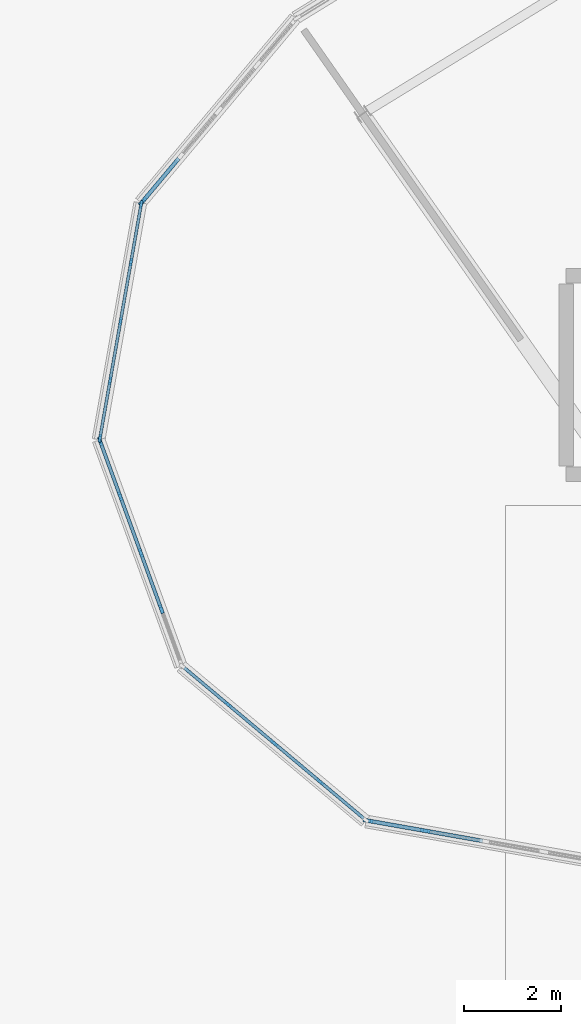
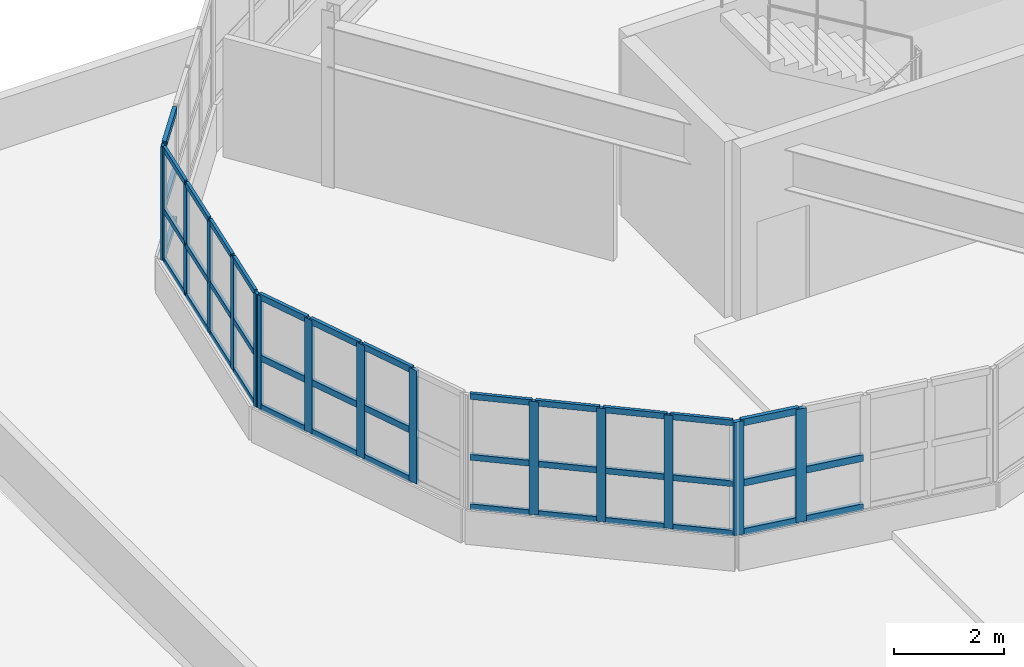
# One storey, part 39 of 128: 56 members, 5 elements without a shape of their own.
"""IFC4 building model written with IfcOpenShell, lengths in metres."""

from ifc_helpers import new_model, si_unit, direction, frame, origin, origin_2d, place, context, subcontext, project, spatial, rectangle, extrude, material, layer, layer_set, material_profile, profile_set, type_object, element, aggregate, save


model = new_model("IFC4")

# Units and contexts
model_context = context("Model", 3, precision=1e-05, world=origin(), true_north=direction((0.0, 1.0)))
body_context = subcontext(model_context, "Body", "Model", "MODEL_VIEW")
ifc_project = project(units=[si_unit("LENGTHUNIT", "METRE"), si_unit("AREAUNIT", "SQUARE_METRE"), si_unit("VOLUMEUNIT", "CUBIC_METRE"), si_unit("PLANEANGLEUNIT", "RADIAN"), si_unit("MASSUNIT", "GRAM", prefix="KILO")], contexts=[model_context])

# Site, building, storey
site_placement = place(None, origin())
site = spatial("IfcSite", under=ifc_project, at=site_placement, CompositionType="ELEMENT")
building_placement = place(site_placement, origin())
building = spatial("IfcBuilding", under=site, at=building_placement, Name="Tarnwether General Hospital", CompositionType="ELEMENT")
storey_placement = place(building_placement, frame((0.0, 0.0, 14.39990234375)))
storey = spatial("IfcBuildingStorey", under=building, at=storey_placement, Name="L03", CompositionType="ELEMENT", Elevation=14.39990234375)

# Curtain wall, members
ifc_material_1 = material(Name="Anodised aluminium", Category="aluminium")
ifc_layer = layer(ifc_material_1, 0.159912109375)
ifc_layer_set = layer_set([ifc_layer], Name="Anodised aluminium")
curtain_wall_type = type_object("IfcCurtainWallType", Name="CW-03", PredefinedType="NOTDEFINED", material=ifc_layer_set)
curtain_wall_1_placement = place(storey_placement, origin())
curtain_wall_1 = element("IfcCurtainWall", 1, at=curtain_wall_1_placement, inside=storey, type_object=curtain_wall_type, Name="Curtain Wall CWG-L03-526_1048-0001", PredefinedType="NOTDEFINED")
ifc_material_2 = material(Name="Anodised aluminium", Category="aluminium")
ifc_material_profile_1 = material_profile(ifc_material_2, rectangle(XDim=0.06005859375, YDim=0.159912109375, at=origin_2d()), Name="ALU-MUL-60x160")
ifc_profile_set_1 = profile_set([ifc_material_profile_1], Name="Anodised aluminium")
member_type_1 = type_object("IfcMemberType", Name="CW-ML1", PredefinedType="MULLION", material=ifc_profile_set_1)
member_1_placement = place(storey_placement, frame((52.6162109375, 104.78857421875, 1.050048828125), z_axis=(0.0, 0.0, 1.0), x_axis=(-0.984840230098, 0.173463890135, 0.0)))
member_1 = element("IfcMember", 2, at=member_1_placement, type_object=member_type_1, Name="CW-03 mullion 1", PredefinedType="MULLION", context=body_context, shape_type="SweptSolid", body=[
    extrude(rectangle(XDim=0.06005859375, YDim=0.159912109375, at=origin_2d()), origin(), (0.0, 0.0, 1.0), 2.510009765625),
])
member_2_placement = place(storey_placement, frame((52.826416015625, 105.982421875, 1.050048828125), z_axis=(0.0, 0.0, 1.0), x_axis=(-0.984840230098, 0.173463890135, 0.0)))
member_2 = element("IfcMember", 3, at=member_2_placement, type_object=member_type_1, Name="CW-03 mullion 2", PredefinedType="MULLION", context=body_context, shape_type="SweptSolid", body=[
    extrude(rectangle(XDim=0.06005859375, YDim=0.159912109375, at=origin_2d()), origin(), (0.0, 0.0, 1.0), 2.510009765625),
])
member_3_placement = place(storey_placement, frame((53.0419921875, 107.2060546875, 1.050048828125), z_axis=(0.0, 0.0, 1.0), x_axis=(-0.984840230098, 0.173463890135, 0.0)))
member_3 = element("IfcMember", 4, at=member_3_placement, type_object=member_type_1, Name="CW-03 mullion 3", PredefinedType="MULLION", context=body_context, shape_type="SweptSolid", body=[
    extrude(rectangle(XDim=0.06005859375, YDim=0.159912109375, at=origin_2d()), origin(), (0.0, 0.0, 1.0), 2.510009765625),
])
member_4_placement = place(storey_placement, frame((53.257568359375, 108.429443359375, 1.050048828125), z_axis=(0.0, 0.0, 1.0), x_axis=(-0.984840230098, 0.173463890135, 0.0)))
member_4 = element("IfcMember", 5, at=member_4_placement, type_object=member_type_1, Name="CW-03 mullion 4", PredefinedType="MULLION", context=body_context, shape_type="SweptSolid", body=[
    extrude(rectangle(XDim=0.06005859375, YDim=0.159912109375, at=origin_2d()), origin(), (0.0, 0.0, 1.0), 2.510009765625),
])
member_5_placement = place(storey_placement, frame((53.4677734375, 109.62353515625, 1.050048828125), z_axis=(0.0, 0.0, 1.0), x_axis=(-0.984840230098, 0.173463890135, 0.0)))
member_5 = element("IfcMember", 6, at=member_5_placement, type_object=member_type_1, Name="CW-03 mullion 5", PredefinedType="MULLION", context=body_context, shape_type="SweptSolid", body=[
    extrude(rectangle(XDim=0.06005859375, YDim=0.159912109375, at=origin_2d()), origin(), (0.0, 0.0, 1.0), 2.510009765625),
])

curtain_wall_2_placement = place(storey_placement, origin())
curtain_wall_2 = element("IfcCurtainWall", 7, at=curtain_wall_2_placement, inside=storey, type_object=curtain_wall_type, Name="Curtain Wall CWG-L03-543_1001-0002", PredefinedType="NOTDEFINED")
ifc_material_3 = material(Name="Anodised aluminium", Category="aluminium")
ifc_material_profile_2 = material_profile(ifc_material_3, rectangle(XDim=0.070068359375, YDim=0.179931640625, at=origin_2d()), Name="ALU-MUL-70x180")
ifc_profile_set_2 = profile_set([ifc_material_profile_2], Name="Anodised aluminium")
member_type_2 = type_object("IfcMemberType", Name="CW-ML2", PredefinedType="MULLION", material=ifc_profile_set_2)
member_6_placement = place(storey_placement, frame((53.88525390625, 101.25732421875, 1.050048828125), z_axis=(0.0, 0.0, 1.0), x_axis=(-0.939717006582, -0.341953136469, 0.0)))
member_6 = element("IfcMember", 8, at=member_6_placement, type_object=member_type_2, Name="CW-03 mullion 2", PredefinedType="MULLION", context=body_context, shape_type="SweptSolid", body=[
    extrude(rectangle(XDim=0.070068359375, YDim=0.179931640625, at=origin_2d()), origin(), (0.0, 0.0, 1.0), 2.510009765625),
])
member_7_placement = place(storey_placement, frame((53.46044921875, 102.424560546875, 1.050048828125), z_axis=(0.0, 0.0, 1.0), x_axis=(-0.939717006582, -0.341953136469, 0.0)))
member_7 = element("IfcMember", 9, at=member_7_placement, type_object=member_type_2, Name="CW-03 mullion 3", PredefinedType="MULLION", context=body_context, shape_type="SweptSolid", body=[
    extrude(rectangle(XDim=0.070068359375, YDim=0.179931640625, at=origin_2d()), origin(), (0.0, 0.0, 1.0), 2.510009765625),
])
member_8_placement = place(storey_placement, frame((53.03564453125, 103.591796875, 1.050048828125), z_axis=(0.0, 0.0, 1.0), x_axis=(-0.939717006582, -0.341953136469, 0.0)))
member_8 = element("IfcMember", 10, at=member_8_placement, type_object=member_type_2, Name="CW-03 mullion 4", PredefinedType="MULLION", context=body_context, shape_type="SweptSolid", body=[
    extrude(rectangle(XDim=0.070068359375, YDim=0.179931640625, at=origin_2d()), origin(), (0.0, 0.0, 1.0), 2.510009765625),
])
member_9_placement = place(storey_placement, frame((52.623046875, 104.72607421875, 1.050048828125), z_axis=(0.0, 0.0, 1.0), x_axis=(-0.939717006582, -0.341953136469, 0.0)))
member_9 = element("IfcMember", 11, at=member_9_placement, type_object=member_type_2, Name="CW-03 mullion 5", PredefinedType="MULLION", context=body_context, shape_type="SweptSolid", body=[
    extrude(rectangle(XDim=0.070068359375, YDim=0.179931640625, at=origin_2d()), origin(), (0.0, 0.0, 1.0), 2.510009765625),
])

curtain_wall_3_placement = place(storey_placement, origin())
curtain_wall_3 = element("IfcCurtainWall", 12, at=curtain_wall_3_placement, inside=storey, type_object=curtain_wall_type, Name="Curtain Wall CWG-L03-581_969-0003", PredefinedType="NOTDEFINED")
ifc_material_4 = material(Name="Anodised aluminium", Category="aluminium")
ifc_material_profile_3 = material_profile(ifc_material_4, rectangle(XDim=0.06494140625, YDim=0.169921875, at=origin_2d()), Name="ALU-MUL-65x170")
ifc_profile_set_3 = profile_set([ifc_material_profile_3], Name="Anodised aluminium")
member_type_3 = type_object("IfcMemberType", Name="CW-ML3", PredefinedType="MULLION", material=ifc_profile_set_3)
member_10_placement = place(storey_placement, frame((57.165283203125, 97.69384765625, 1.050048828125), z_axis=(0.0, 0.0, 1.0), x_axis=(-0.64285227611, -0.765990176896, 0.0)))
member_10 = element("IfcMember", 13, at=member_10_placement, type_object=member_type_3, Name="CW-03 mullion 2", PredefinedType="MULLION", context=body_context, shape_type="SweptSolid", body=[
    extrude(rectangle(XDim=0.06494140625, YDim=0.169921875, at=origin_2d()), origin(), (0.0, 0.0, 1.0), 2.510009765625),
])
member_11_placement = place(storey_placement, frame((56.21337890625, 98.492431640625, 1.050048828125), z_axis=(0.0, 0.0, 1.0), x_axis=(-0.64285227611, -0.765990176896, 0.0)))
member_11 = element("IfcMember", 14, at=member_11_placement, type_object=member_type_3, Name="CW-03 mullion 3", PredefinedType="MULLION", context=body_context, shape_type="SweptSolid", body=[
    extrude(rectangle(XDim=0.06494140625, YDim=0.169921875, at=origin_2d()), origin(), (0.0, 0.0, 1.0), 2.510009765625),
])
member_12_placement = place(storey_placement, frame((55.26171875, 99.291259765625, 1.050048828125), z_axis=(0.0, 0.0, 1.0), x_axis=(-0.64285227611, -0.765990176896, 0.0)))
member_12 = element("IfcMember", 15, at=member_12_placement, type_object=member_type_3, Name="CW-03 mullion 4", PredefinedType="MULLION", context=body_context, shape_type="SweptSolid", body=[
    extrude(rectangle(XDim=0.06494140625, YDim=0.169921875, at=origin_2d()), origin(), (0.0, 0.0, 1.0), 2.510009765625),
])

curtain_wall_4_placement = place(storey_placement, origin())
curtain_wall_4 = element("IfcCurtainWall", 16, at=curtain_wall_4_placement, inside=storey, type_object=curtain_wall_type, Name="Curtain Wall CWG-L03-630_960-0004", PredefinedType="NOTDEFINED")
ifc_material_5 = material(Name="Anodised aluminium", Category="aluminium")
ifc_material_profile_4 = material_profile(ifc_material_5, rectangle(XDim=0.080078125, YDim=0.199951171875, at=origin_2d()), Name="ALU-MUL-80x200")
ifc_profile_set_4 = profile_set([ifc_material_profile_4], Name="Anodised aluminium")
member_type_4 = type_object("IfcMemberType", Name="CW-ML4", PredefinedType="MULLION", material=ifc_profile_set_4)
member_13_placement = place(storey_placement, frame((59.340576171875, 96.67919921875, 1.050048828125), z_axis=(0.0, 0.0, 1.0), x_axis=(-0.173659059054, -0.984805834268, 0.0)))
member_13 = element("IfcMember", 17, at=member_13_placement, type_object=member_type_4, Name="CW-03 mullion 4", PredefinedType="MULLION", context=body_context, shape_type="SweptSolid", body=[
    extrude(rectangle(XDim=0.080078125, YDim=0.199951171875, at=origin_2d()), origin(), (0.0, 0.0, 1.0), 2.510009765625),
])
member_14_placement = place(storey_placement, frame((58.156494140625, 96.887939453125, 1.050048828125), z_axis=(0.0, 0.0, 1.0), x_axis=(-0.173659059054, -0.984805834268, 0.0)))
member_14 = element("IfcMember", 18, at=member_14_placement, type_object=member_type_4, Name="CW-03 mullion 5", PredefinedType="MULLION", context=body_context, shape_type="SweptSolid", body=[
    extrude(rectangle(XDim=0.080078125, YDim=0.199951171875, at=origin_2d()), origin(), (0.0, 0.0, 1.0), 2.510009765625),
])

# Curtain wall, member
curtain_wall_5_placement = place(storey_placement, origin())
curtain_wall_5 = element("IfcCurtainWall", 19, at=curtain_wall_5_placement, inside=storey, type_object=curtain_wall_type, Name="Curtain Wall CWG-L03-535_1097-0032", PredefinedType="NOTDEFINED")
member_15_placement = place(storey_placement, frame((53.498779296875, 109.68359375, 1.050048828125), z_axis=(0.0, 0.0, 1.0), x_axis=(-0.765990176896, 0.64285227611, 0.0)))
member_15 = element("IfcMember", 20, at=member_15_placement, type_object=member_type_4, Name="CW-03 mullion 1", PredefinedType="MULLION", context=body_context, shape_type="SweptSolid", body=[
    extrude(rectangle(XDim=0.080078125, YDim=0.199951171875, at=origin_2d()), origin(), (0.0, 0.0, 1.0), 2.510009765625),
])

# Member
ifc_material_6 = material(Name="Anodised aluminium", Category="aluminium")
ifc_material_profile_5 = material_profile(ifc_material_6, rectangle(XDim=0.06005859375, YDim=0.1201171875, at=origin_2d()), Name="ALU-TRN-60x120")
ifc_profile_set_5 = profile_set([ifc_material_profile_5], Name="Anodised aluminium")
member_type_5 = type_object("IfcMemberType", Name="CW-TR1", PredefinedType="USERDEFINED", material=ifc_profile_set_5)
member_16_placement = place(storey_placement, frame((52.621337890625, 104.818115234375, 1.080078125), z_axis=(0.173531496142, 0.984828319986, 0.0), x_axis=(-0.984828319986, 0.173531496142, 0.0)))
member_16 = element("IfcMember", 21, at=member_16_placement, type_object=member_type_5, Name="CW-03 transom 1.1", ObjectType="TRANSOM", PredefinedType="USERDEFINED", context=body_context, shape_type="SweptSolid", body=[
    extrude(rectangle(XDim=0.06005859375, YDim=0.1201171875, at=origin_2d()), origin(), (0.0, 0.0, 1.0), 1.15234375),
])

member_17_placement = place(storey_placement, frame((52.621337890625, 104.818115234375, 2.1796875), z_axis=(0.173531496142, 0.984828319986, 0.0), x_axis=(-0.984828319986, 0.173531496142, 0.0)))
member_17 = element("IfcMember", 22, at=member_17_placement, type_object=member_type_5, Name="CW-03 transom 1.2", ObjectType="TRANSOM", PredefinedType="USERDEFINED", context=body_context, shape_type="SweptSolid", body=[
    extrude(rectangle(XDim=0.06005859375, YDim=0.1201171875, at=origin_2d()), origin(), (0.0, 0.0, 1.0), 1.15234375),
])

member_18_placement = place(storey_placement, frame((52.621337890625, 104.818115234375, 3.530029296875), z_axis=(0.173531496142, 0.984828319986, 0.0), x_axis=(-0.984828319986, 0.173531496142, 0.0)))
member_18 = element("IfcMember", 23, at=member_18_placement, type_object=member_type_5, Name="CW-03 transom 1.3", ObjectType="TRANSOM", PredefinedType="USERDEFINED", context=body_context, shape_type="SweptSolid", body=[
    extrude(rectangle(XDim=0.06005859375, YDim=0.1201171875, at=origin_2d()), origin(), (0.0, 0.0, 1.0), 1.15234375),
])

member_19_placement = place(storey_placement, frame((52.831787109375, 106.011962890625, 1.080078125), z_axis=(0.173431973782, 0.984845851121, 0.0), x_axis=(-0.984845851121, 0.173431973782, 0.0)))
member_19 = element("IfcMember", 24, at=member_19_placement, type_object=member_type_5, Name="CW-03 transom 2.1", ObjectType="TRANSOM", PredefinedType="USERDEFINED", context=body_context, shape_type="SweptSolid", body=[
    extrude(rectangle(XDim=0.06005859375, YDim=0.1201171875, at=origin_2d()), origin(), (0.0, 0.0, 1.0), 1.182373046875),
])

member_20_placement = place(storey_placement, frame((52.831787109375, 106.011962890625, 2.1796875), z_axis=(0.173431973782, 0.984845851121, 0.0), x_axis=(-0.984845851121, 0.173431973782, 0.0)))
member_20 = element("IfcMember", 25, at=member_20_placement, type_object=member_type_5, Name="CW-03 transom 2.2", ObjectType="TRANSOM", PredefinedType="USERDEFINED", context=body_context, shape_type="SweptSolid", body=[
    extrude(rectangle(XDim=0.06005859375, YDim=0.1201171875, at=origin_2d()), origin(), (0.0, 0.0, 1.0), 1.182373046875),
])

member_21_placement = place(storey_placement, frame((52.831787109375, 106.011962890625, 3.530029296875), z_axis=(0.173431973782, 0.984845851121, 0.0), x_axis=(-0.984845851121, 0.173431973782, 0.0)))
member_21 = element("IfcMember", 26, at=member_21_placement, type_object=member_type_5, Name="CW-03 transom 2.3", ObjectType="TRANSOM", PredefinedType="USERDEFINED", context=body_context, shape_type="SweptSolid", body=[
    extrude(rectangle(XDim=0.06005859375, YDim=0.1201171875, at=origin_2d()), origin(), (0.0, 0.0, 1.0), 1.182373046875),
])

member_22_placement = place(storey_placement, frame((53.047119140625, 107.235595703125, 1.080078125), z_axis=(0.173467246121, 0.984839638989, 0.0), x_axis=(-0.984839638989, 0.173467246121, 0.0)))
member_22 = element("IfcMember", 27, at=member_22_placement, type_object=member_type_5, Name="CW-03 transom 3.1", ObjectType="TRANSOM", PredefinedType="USERDEFINED", context=body_context, shape_type="SweptSolid", body=[
    extrude(rectangle(XDim=0.06005859375, YDim=0.1201171875, at=origin_2d()), origin(), (0.0, 0.0, 1.0), 1.18212890625),
])

member_23_placement = place(storey_placement, frame((53.047119140625, 107.235595703125, 2.1796875), z_axis=(0.173467246121, 0.984839638989, 0.0), x_axis=(-0.984839638989, 0.173467246121, 0.0)))
member_23 = element("IfcMember", 28, at=member_23_placement, type_object=member_type_5, Name="CW-03 transom 3.2", ObjectType="TRANSOM", PredefinedType="USERDEFINED", context=body_context, shape_type="SweptSolid", body=[
    extrude(rectangle(XDim=0.06005859375, YDim=0.1201171875, at=origin_2d()), origin(), (0.0, 0.0, 1.0), 1.18212890625),
])

member_24_placement = place(storey_placement, frame((53.047119140625, 107.235595703125, 3.530029296875), z_axis=(0.173467246121, 0.984839638989, 0.0), x_axis=(-0.984839638989, 0.173467246121, 0.0)))
member_24 = element("IfcMember", 29, at=member_24_placement, type_object=member_type_5, Name="CW-03 transom 3.3", ObjectType="TRANSOM", PredefinedType="USERDEFINED", context=body_context, shape_type="SweptSolid", body=[
    extrude(rectangle(XDim=0.06005859375, YDim=0.1201171875, at=origin_2d()), origin(), (0.0, 0.0, 1.0), 1.18212890625),
])

member_25_placement = place(storey_placement, frame((53.2626953125, 108.458984375, 1.080078125), z_axis=(0.173495293185, 0.984834698435, 0.0), x_axis=(-0.984834698435, 0.173495293185, 0.0)))
member_25 = element("IfcMember", 30, at=member_25_placement, type_object=member_type_5, Name="CW-03 transom 4.1", ObjectType="TRANSOM", PredefinedType="USERDEFINED", context=body_context, shape_type="SweptSolid", body=[
    extrude(rectangle(XDim=0.06005859375, YDim=0.1201171875, at=origin_2d()), origin(), (0.0, 0.0, 1.0), 1.152587890625),
])

member_26_placement = place(storey_placement, frame((53.2626953125, 108.458984375, 2.1796875), z_axis=(0.173495293185, 0.984834698435, 0.0), x_axis=(-0.984834698435, 0.173495293185, 0.0)))
member_26 = element("IfcMember", 31, at=member_26_placement, type_object=member_type_5, Name="CW-03 transom 4.2", ObjectType="TRANSOM", PredefinedType="USERDEFINED", context=body_context, shape_type="SweptSolid", body=[
    extrude(rectangle(XDim=0.06005859375, YDim=0.1201171875, at=origin_2d()), origin(), (0.0, 0.0, 1.0), 1.152587890625),
])

member_27_placement = place(storey_placement, frame((53.2626953125, 108.458984375, 3.530029296875), z_axis=(0.173495293185, 0.984834698435, 0.0), x_axis=(-0.984834698435, 0.173495293185, 0.0)))
member_27 = element("IfcMember", 32, at=member_27_placement, type_object=member_type_5, Name="CW-03 transom 4.3", ObjectType="TRANSOM", PredefinedType="USERDEFINED", context=body_context, shape_type="SweptSolid", body=[
    extrude(rectangle(XDim=0.06005859375, YDim=0.1201171875, at=origin_2d()), origin(), (0.0, 0.0, 1.0), 1.152587890625),
])

aggregate(curtain_wall_1, [member_1, member_2, member_3, member_4, member_5, member_16, member_17, member_18, member_19, member_20, member_21, member_22, member_23, member_24, member_25, member_26, member_27])

ifc_material_7 = material(Name="Anodised aluminium", Category="aluminium")
ifc_material_profile_6 = material_profile(ifc_material_7, rectangle(XDim=0.070068359375, YDim=0.139892578125, at=origin_2d()), Name="ALU-TRN-70x140")
ifc_profile_set_6 = profile_set([ifc_material_profile_6], Name="Anodised aluminium")
member_type_6 = type_object("IfcMemberType", Name="CW-TR2", PredefinedType="USERDEFINED", material=ifc_profile_set_6)
member_28_placement = place(storey_placement, frame((53.873291015625, 101.2900390625, 1.085205078125), z_axis=(-0.341977164717, 0.939708262607, 0.0), x_axis=(-0.939708262607, -0.341977164717, 0.0)))
member_28 = element("IfcMember", 33, at=member_28_placement, type_object=member_type_6, Name="CW-03 transom 2.1", ObjectType="TRANSOM", PredefinedType="USERDEFINED", context=body_context, shape_type="SweptSolid", body=[
    extrude(rectangle(XDim=0.070068359375, YDim=0.139892578125, at=origin_2d()), origin(), (0.0, 0.0, 1.0), 1.172119140625),
])

member_29_placement = place(storey_placement, frame((53.873291015625, 101.2900390625, 2.1796875), z_axis=(-0.341977164717, 0.939708262607, 0.0), x_axis=(-0.939708262607, -0.341977164717, 0.0)))
member_29 = element("IfcMember", 34, at=member_29_placement, type_object=member_type_6, Name="CW-03 transom 2.2", ObjectType="TRANSOM", PredefinedType="USERDEFINED", context=body_context, shape_type="SweptSolid", body=[
    extrude(rectangle(XDim=0.070068359375, YDim=0.139892578125, at=origin_2d()), origin(), (0.0, 0.0, 1.0), 1.172119140625),
])

member_30_placement = place(storey_placement, frame((53.873291015625, 101.2900390625, 3.525146484375), z_axis=(-0.341977164717, 0.939708262607, 0.0), x_axis=(-0.939708262607, -0.341977164717, 0.0)))
member_30 = element("IfcMember", 35, at=member_30_placement, type_object=member_type_6, Name="CW-03 transom 2.3", ObjectType="TRANSOM", PredefinedType="USERDEFINED", context=body_context, shape_type="SweptSolid", body=[
    extrude(rectangle(XDim=0.070068359375, YDim=0.139892578125, at=origin_2d()), origin(), (0.0, 0.0, 1.0), 1.172119140625),
])

member_31_placement = place(storey_placement, frame((53.448486328125, 102.457275390625, 1.085205078125), z_axis=(-0.341977164717, 0.939708262607, 0.0), x_axis=(-0.939708262607, -0.341977164717, 0.0)))
member_31 = element("IfcMember", 36, at=member_31_placement, type_object=member_type_6, Name="CW-03 transom 3.1", ObjectType="TRANSOM", PredefinedType="USERDEFINED", context=body_context, shape_type="SweptSolid", body=[
    extrude(rectangle(XDim=0.070068359375, YDim=0.139892578125, at=origin_2d()), origin(), (0.0, 0.0, 1.0), 1.172119140625),
])

member_32_placement = place(storey_placement, frame((53.448486328125, 102.457275390625, 2.1796875), z_axis=(-0.341977164717, 0.939708262607, 0.0), x_axis=(-0.939708262607, -0.341977164717, 0.0)))
member_32 = element("IfcMember", 37, at=member_32_placement, type_object=member_type_6, Name="CW-03 transom 3.2", ObjectType="TRANSOM", PredefinedType="USERDEFINED", context=body_context, shape_type="SweptSolid", body=[
    extrude(rectangle(XDim=0.070068359375, YDim=0.139892578125, at=origin_2d()), origin(), (0.0, 0.0, 1.0), 1.172119140625),
])

member_33_placement = place(storey_placement, frame((53.448486328125, 102.457275390625, 3.525146484375), z_axis=(-0.341977164717, 0.939708262607, 0.0), x_axis=(-0.939708262607, -0.341977164717, 0.0)))
member_33 = element("IfcMember", 38, at=member_33_placement, type_object=member_type_6, Name="CW-03 transom 3.3", ObjectType="TRANSOM", PredefinedType="USERDEFINED", context=body_context, shape_type="SweptSolid", body=[
    extrude(rectangle(XDim=0.070068359375, YDim=0.139892578125, at=origin_2d()), origin(), (0.0, 0.0, 1.0), 1.172119140625),
])

member_34_placement = place(storey_placement, frame((53.023681640625, 103.624755859375, 1.085205078125), z_axis=(-0.341881000608, 0.939743252928, 0.0), x_axis=(-0.939743252928, -0.341881000608, 0.0)))
member_34 = element("IfcMember", 39, at=member_34_placement, type_object=member_type_6, Name="CW-03 transom 4.1", ObjectType="TRANSOM", PredefinedType="USERDEFINED", context=body_context, shape_type="SweptSolid", body=[
    extrude(rectangle(XDim=0.070068359375, YDim=0.139892578125, at=origin_2d()), origin(), (0.0, 0.0, 1.0), 1.136962890625),
])

member_35_placement = place(storey_placement, frame((53.023681640625, 103.624755859375, 2.1796875), z_axis=(-0.341881000608, 0.939743252928, 0.0), x_axis=(-0.939743252928, -0.341881000608, 0.0)))
member_35 = element("IfcMember", 40, at=member_35_placement, type_object=member_type_6, Name="CW-03 transom 4.2", ObjectType="TRANSOM", PredefinedType="USERDEFINED", context=body_context, shape_type="SweptSolid", body=[
    extrude(rectangle(XDim=0.070068359375, YDim=0.139892578125, at=origin_2d()), origin(), (0.0, 0.0, 1.0), 1.136962890625),
])

member_36_placement = place(storey_placement, frame((53.023681640625, 103.624755859375, 3.525146484375), z_axis=(-0.341881000608, 0.939743252928, 0.0), x_axis=(-0.939743252928, -0.341881000608, 0.0)))
member_36 = element("IfcMember", 41, at=member_36_placement, type_object=member_type_6, Name="CW-03 transom 4.3", ObjectType="TRANSOM", PredefinedType="USERDEFINED", context=body_context, shape_type="SweptSolid", body=[
    extrude(rectangle(XDim=0.070068359375, YDim=0.139892578125, at=origin_2d()), origin(), (0.0, 0.0, 1.0), 1.136962890625),
])

aggregate(curtain_wall_2, [member_6, member_7, member_8, member_9, member_28, member_29, member_30, member_31, member_32, member_33, member_34, member_35, member_36])

ifc_material_8 = material(Name="Anodised aluminium", Category="aluminium")
ifc_material_profile_7 = material_profile(ifc_material_8, rectangle(XDim=0.06494140625, YDim=0.1298828125, at=origin_2d()), Name="ALU-TRN-65x130")
ifc_profile_set_7 = profile_set([ifc_material_profile_7], Name="Anodised aluminium")
member_type_7 = type_object("IfcMemberType", Name="CW-TR3", PredefinedType="USERDEFINED", material=ifc_profile_set_7)
member_37_placement = place(storey_placement, frame((58.067138671875, 96.936767578125, 1.08251953125), z_axis=(-0.765944252325, 0.64290699353, 0.0), x_axis=(-0.64290699353, -0.765944252325, 0.0)))
member_37 = element("IfcMember", 42, at=member_37_placement, type_object=member_type_7, Name="CW-03 transom 1.1", ObjectType="TRANSOM", PredefinedType="USERDEFINED", context=body_context, shape_type="SweptSolid", body=[
    extrude(rectangle(XDim=0.06494140625, YDim=0.1298828125, at=origin_2d()), origin(), (0.0, 0.0, 1.0), 1.14501953125),
])

member_38_placement = place(storey_placement, frame((58.067138671875, 96.936767578125, 2.1796875), z_axis=(-0.765944252325, 0.64290699353, 0.0), x_axis=(-0.64290699353, -0.765944252325, 0.0)))
member_38 = element("IfcMember", 43, at=member_38_placement, type_object=member_type_7, Name="CW-03 transom 1.2", ObjectType="TRANSOM", PredefinedType="USERDEFINED", context=body_context, shape_type="SweptSolid", body=[
    extrude(rectangle(XDim=0.06494140625, YDim=0.1298828125, at=origin_2d()), origin(), (0.0, 0.0, 1.0), 1.14501953125),
])

member_39_placement = place(storey_placement, frame((58.067138671875, 96.936767578125, 3.527587890625), z_axis=(-0.765944252325, 0.64290699353, 0.0), x_axis=(-0.64290699353, -0.765944252325, 0.0)))
member_39 = element("IfcMember", 44, at=member_39_placement, type_object=member_type_7, Name="CW-03 transom 1.3", ObjectType="TRANSOM", PredefinedType="USERDEFINED", context=body_context, shape_type="SweptSolid", body=[
    extrude(rectangle(XDim=0.06494140625, YDim=0.1298828125, at=origin_2d()), origin(), (0.0, 0.0, 1.0), 1.14501953125),
])

member_40_placement = place(storey_placement, frame((57.140380859375, 97.714599609375, 1.08251953125), z_axis=(-0.765990659542, 0.642851701012, 0.0), x_axis=(-0.642851701012, -0.765990659542, 0.0)))
member_40 = element("IfcMember", 45, at=member_40_placement, type_object=member_type_7, Name="CW-03 transom 2.1", ObjectType="TRANSOM", PredefinedType="USERDEFINED", context=body_context, shape_type="SweptSolid", body=[
    extrude(rectangle(XDim=0.06494140625, YDim=0.1298828125, at=origin_2d()), origin(), (0.0, 0.0, 1.0), 1.177734375),
])

member_41_placement = place(storey_placement, frame((57.140380859375, 97.714599609375, 2.1796875), z_axis=(-0.765990659542, 0.642851701012, 0.0), x_axis=(-0.642851701012, -0.765990659542, 0.0)))
member_41 = element("IfcMember", 46, at=member_41_placement, type_object=member_type_7, Name="CW-03 transom 2.2", ObjectType="TRANSOM", PredefinedType="USERDEFINED", context=body_context, shape_type="SweptSolid", body=[
    extrude(rectangle(XDim=0.06494140625, YDim=0.1298828125, at=origin_2d()), origin(), (0.0, 0.0, 1.0), 1.177734375),
])

member_42_placement = place(storey_placement, frame((57.140380859375, 97.714599609375, 3.527587890625), z_axis=(-0.765990659542, 0.642851701012, 0.0), x_axis=(-0.642851701012, -0.765990659542, 0.0)))
member_42 = element("IfcMember", 47, at=member_42_placement, type_object=member_type_7, Name="CW-03 transom 2.3", ObjectType="TRANSOM", PredefinedType="USERDEFINED", context=body_context, shape_type="SweptSolid", body=[
    extrude(rectangle(XDim=0.06494140625, YDim=0.1298828125, at=origin_2d()), origin(), (0.0, 0.0, 1.0), 1.177734375),
])

member_43_placement = place(storey_placement, frame((56.188720703125, 98.513427734375, 1.08251953125), z_axis=(-0.766092744107, 0.642730042418, 0.0), x_axis=(-0.642730042418, -0.766092744107, 0.0)))
member_43 = element("IfcMember", 48, at=member_43_placement, type_object=member_type_7, Name="CW-03 transom 3.1", ObjectType="TRANSOM", PredefinedType="USERDEFINED", context=body_context, shape_type="SweptSolid", body=[
    extrude(rectangle(XDim=0.06494140625, YDim=0.1298828125, at=origin_2d()), origin(), (0.0, 0.0, 1.0), 1.177490234375),
])

member_44_placement = place(storey_placement, frame((56.188720703125, 98.513427734375, 2.1796875), z_axis=(-0.766092744107, 0.642730042418, 0.0), x_axis=(-0.642730042418, -0.766092744107, 0.0)))
member_44 = element("IfcMember", 49, at=member_44_placement, type_object=member_type_7, Name="CW-03 transom 3.2", ObjectType="TRANSOM", PredefinedType="USERDEFINED", context=body_context, shape_type="SweptSolid", body=[
    extrude(rectangle(XDim=0.06494140625, YDim=0.1298828125, at=origin_2d()), origin(), (0.0, 0.0, 1.0), 1.177490234375),
])

member_45_placement = place(storey_placement, frame((56.188720703125, 98.513427734375, 3.527587890625), z_axis=(-0.766092744107, 0.642730042418, 0.0), x_axis=(-0.642730042418, -0.766092744107, 0.0)))
member_45 = element("IfcMember", 50, at=member_45_placement, type_object=member_type_7, Name="CW-03 transom 3.3", ObjectType="TRANSOM", PredefinedType="USERDEFINED", context=body_context, shape_type="SweptSolid", body=[
    extrude(rectangle(XDim=0.06494140625, YDim=0.1298828125, at=origin_2d()), origin(), (0.0, 0.0, 1.0), 1.177490234375),
])

member_46_placement = place(storey_placement, frame((55.23681640625, 99.312255859375, 1.08251953125), z_axis=(-0.766049260575, 0.642781868422, 0.0), x_axis=(-0.642781868422, -0.766049260575, 0.0)))
member_46 = element("IfcMember", 51, at=member_46_placement, type_object=member_type_7, Name="CW-03 transom 4.1", ObjectType="TRANSOM", PredefinedType="USERDEFINED", context=body_context, shape_type="SweptSolid", body=[
    extrude(rectangle(XDim=0.06494140625, YDim=0.1298828125, at=origin_2d()), origin(), (0.0, 0.0, 1.0), 1.144775390625),
])

member_47_placement = place(storey_placement, frame((55.23681640625, 99.312255859375, 2.1796875), z_axis=(-0.766049260575, 0.642781868422, 0.0), x_axis=(-0.642781868422, -0.766049260575, 0.0)))
member_47 = element("IfcMember", 52, at=member_47_placement, type_object=member_type_7, Name="CW-03 transom 4.2", ObjectType="TRANSOM", PredefinedType="USERDEFINED", context=body_context, shape_type="SweptSolid", body=[
    extrude(rectangle(XDim=0.06494140625, YDim=0.1298828125, at=origin_2d()), origin(), (0.0, 0.0, 1.0), 1.144775390625),
])

member_48_placement = place(storey_placement, frame((55.23681640625, 99.312255859375, 3.527587890625), z_axis=(-0.766049260575, 0.642781868422, 0.0), x_axis=(-0.642781868422, -0.766049260575, 0.0)))
member_48 = element("IfcMember", 53, at=member_48_placement, type_object=member_type_7, Name="CW-03 transom 4.3", ObjectType="TRANSOM", PredefinedType="USERDEFINED", context=body_context, shape_type="SweptSolid", body=[
    extrude(rectangle(XDim=0.06494140625, YDim=0.1298828125, at=origin_2d()), origin(), (0.0, 0.0, 1.0), 1.144775390625),
])

aggregate(curtain_wall_3, [member_10, member_11, member_12, member_37, member_38, member_39, member_40, member_41, member_42, member_43, member_44, member_45, member_46, member_47, member_48])

ifc_material_9 = material(Name="Anodised aluminium", Category="aluminium")
ifc_material_profile_8 = material_profile(ifc_material_9, rectangle(XDim=0.080078125, YDim=0.14990234375, at=origin_2d()), Name="ALU-TRN-80x150")
ifc_profile_set_8 = profile_set([ifc_material_profile_8], Name="Anodised aluminium")
member_type_8 = type_object("IfcMemberType", Name="CW-TR4", PredefinedType="USERDEFINED", material=ifc_profile_set_8)
member_49_placement = place(storey_placement, frame((60.524658203125, 96.470458984375, 1.090087890625), z_axis=(-0.984800468802, 0.173689483408, 0.0), x_axis=(-0.173689483408, -0.984800468802, 0.0)))
member_49 = element("IfcMember", 54, at=member_49_placement, type_object=member_type_8, Name="CW-03 transom 3.1", ObjectType="TRANSOM", PredefinedType="USERDEFINED", context=body_context, shape_type="SweptSolid", body=[
    extrude(rectangle(XDim=0.080078125, YDim=0.14990234375, at=origin_2d()), origin(), (0.0, 0.0, 1.0), 1.162353515625),
])

member_50_placement = place(storey_placement, frame((60.524658203125, 96.470458984375, 2.1796875), z_axis=(-0.984800468802, 0.173689483408, 0.0), x_axis=(-0.173689483408, -0.984800468802, 0.0)))
member_50 = element("IfcMember", 55, at=member_50_placement, type_object=member_type_8, Name="CW-03 transom 3.2", ObjectType="TRANSOM", PredefinedType="USERDEFINED", context=body_context, shape_type="SweptSolid", body=[
    extrude(rectangle(XDim=0.080078125, YDim=0.14990234375, at=origin_2d()), origin(), (0.0, 0.0, 1.0), 1.162353515625),
])

member_51_placement = place(storey_placement, frame((59.301025390625, 96.686279296875, 1.090087890625), z_axis=(-0.984816391651, 0.173599178383, 0.0), x_axis=(-0.173599178383, -0.984816391651, 0.0)))
member_51 = element("IfcMember", 56, at=member_51_placement, type_object=member_type_8, Name="CW-03 transom 4.1", ObjectType="TRANSOM", PredefinedType="USERDEFINED", context=body_context, shape_type="SweptSolid", body=[
    extrude(rectangle(XDim=0.080078125, YDim=0.14990234375, at=origin_2d()), origin(), (0.0, 0.0, 1.0), 1.122314453125),
])

member_52_placement = place(storey_placement, frame((59.301025390625, 96.686279296875, 2.1796875), z_axis=(-0.984816391651, 0.173599178383, 0.0), x_axis=(-0.173599178383, -0.984816391651, 0.0)))
member_52 = element("IfcMember", 57, at=member_52_placement, type_object=member_type_8, Name="CW-03 transom 4.2", ObjectType="TRANSOM", PredefinedType="USERDEFINED", context=body_context, shape_type="SweptSolid", body=[
    extrude(rectangle(XDim=0.080078125, YDim=0.14990234375, at=origin_2d()), origin(), (0.0, 0.0, 1.0), 1.122314453125),
])

member_53_placement = place(storey_placement, frame((59.301025390625, 96.686279296875, 3.52001953125), z_axis=(-0.984816391651, 0.173599178383, 0.0), x_axis=(-0.173599178383, -0.984816391651, 0.0)))
member_53 = element("IfcMember", 58, at=member_53_placement, type_object=member_type_8, Name="CW-03 transom 4.3", ObjectType="TRANSOM", PredefinedType="USERDEFINED", context=body_context, shape_type="SweptSolid", body=[
    extrude(rectangle(XDim=0.080078125, YDim=0.14990234375, at=origin_2d()), origin(), (0.0, 0.0, 1.0), 1.122314453125),
])

aggregate(curtain_wall_4, [member_13, member_14, member_49, member_50, member_51, member_52, member_53])

member_54_placement = place(storey_placement, frame((53.5244140625, 109.71435546875, 1.090087890625), z_axis=(0.642875805885, 0.765970429069, 0.0), x_axis=(-0.765970429069, 0.642875805885, 0.0)))
member_54 = element("IfcMember", 59, at=member_54_placement, type_object=member_type_8, Name="CW-03 transom 1.1", ObjectType="TRANSOM", PredefinedType="USERDEFINED", context=body_context, shape_type="SweptSolid", body=[
    extrude(rectangle(XDim=0.080078125, YDim=0.14990234375, at=origin_2d()), origin(), (0.0, 0.0, 1.0), 1.12255859375),
])

member_55_placement = place(storey_placement, frame((53.5244140625, 109.71435546875, 2.1796875), z_axis=(0.642875805885, 0.765970429069, 0.0), x_axis=(-0.765970429069, 0.642875805885, 0.0)))
member_55 = element("IfcMember", 60, at=member_55_placement, type_object=member_type_8, Name="CW-03 transom 1.2", ObjectType="TRANSOM", PredefinedType="USERDEFINED", context=body_context, shape_type="SweptSolid", body=[
    extrude(rectangle(XDim=0.080078125, YDim=0.14990234375, at=origin_2d()), origin(), (0.0, 0.0, 1.0), 1.12255859375),
])

member_56_placement = place(storey_placement, frame((53.5244140625, 109.71435546875, 3.52001953125), z_axis=(0.642875805885, 0.765970429069, 0.0), x_axis=(-0.765970429069, 0.642875805885, 0.0)))
member_56 = element("IfcMember", 61, at=member_56_placement, type_object=member_type_8, Name="CW-03 transom 1.3", ObjectType="TRANSOM", PredefinedType="USERDEFINED", context=body_context, shape_type="SweptSolid", body=[
    extrude(rectangle(XDim=0.080078125, YDim=0.14990234375, at=origin_2d()), origin(), (0.0, 0.0, 1.0), 1.12255859375),
])

aggregate(curtain_wall_5, [member_15, member_54, member_55, member_56])

save(model, "model.ifc")
